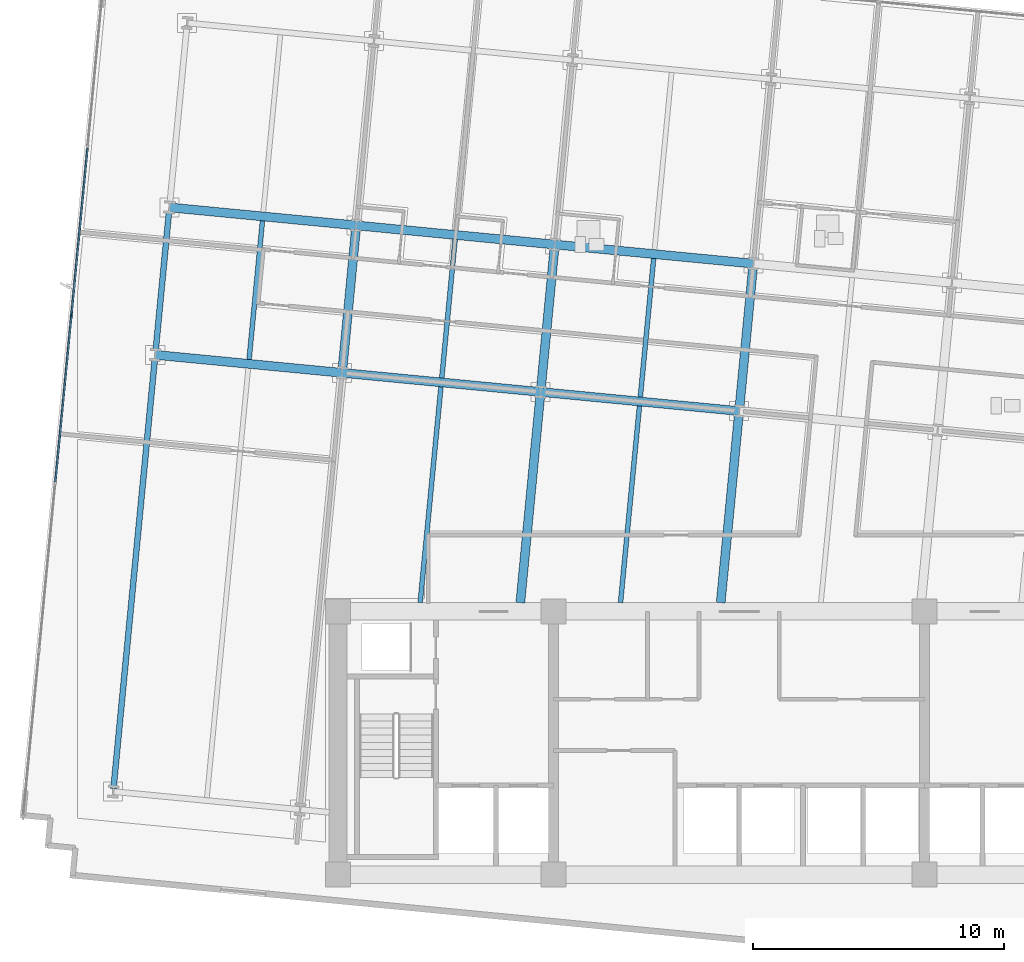
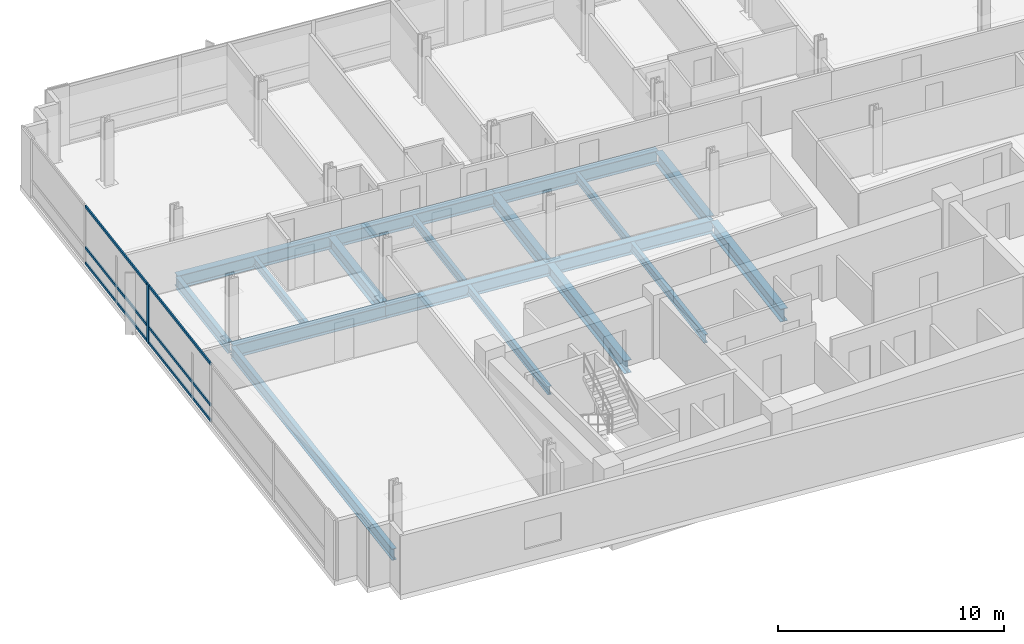
# One storey, part 4 of 17: 18 beams, 7 members, 1 element without a shape of its own.
"""IFC4 building model written with IfcOpenShell, lengths in metres."""

from ifc_helpers import new_model, si_unit, direction, frame, origin, origin_2d, place, context, subcontext, project, spatial, rectangle, i_section, extrude, material, material_profile, profile_set, type_object, element, aggregate, save


model = new_model("IFC4")

# Units and contexts
model_context = context("Model", 3, precision=1e-05, world=origin(), true_north=direction((0.0, 1.0)))
body_context = subcontext(model_context, "Body", "Model", "MODEL_VIEW")
ifc_project = project(units=[si_unit("LENGTHUNIT", "METRE"), si_unit("AREAUNIT", "SQUARE_METRE"), si_unit("VOLUMEUNIT", "CUBIC_METRE"), si_unit("PLANEANGLEUNIT", "RADIAN"), si_unit("MASSUNIT", "GRAM", prefix="KILO")], contexts=[model_context])

# Site, building, storey
site_placement = place(None, origin())
site = spatial("IfcSite", under=ifc_project, at=site_placement, CompositionType="ELEMENT")
building_placement = place(site_placement, origin())
building = spatial("IfcBuilding", under=site, at=building_placement, Name="Solmavex Isthmus Hotel", CompositionType="ELEMENT")
storey_placement = place(building_placement, frame((0.0, 0.0, 149.699951171875)))
storey = spatial("IfcBuildingStorey", under=building, at=storey_placement, Name="L40", CompositionType="ELEMENT", Elevation=149.699951171875)

# Beams
ifc_material_1 = material(Name="Steel ASTM A992 Grade 50", Category="steel")
ifc_material_profile_1 = material_profile(ifc_material_1, i_section(OverallWidth=0.354736328125, OverallDepth=0.695556640625, WebThickness=0.015380859375, FlangeThickness=0.02490234375, FilletRadius=0.017822265625, at=origin_2d()), Name="W27X146")
ifc_profile_set_1 = profile_set([ifc_material_profile_1], Name="Steel ASTM A992 Grade 50")
beam_type_1 = type_object("IfcBeamType", Name="BM-BG-W27X146", PredefinedType="BEAM", material=ifc_profile_set_1)
beam_1_placement = place(storey_placement, frame((-23.291015625, 7.733154296875, -0.607666015625), z_axis=(0.995395279593, -0.095855293875, 0.0), x_axis=(0.095855293875, 0.995395279593, 0.0)))
element("IfcBeam", 1, at=beam_1_placement, inside=storey, type_object=beam_type_1, Name="Floor Girder L40-UG03", PredefinedType="BEAM", context=body_context, shape_type="SweptSolid", body=[
    extrude(i_section(OverallWidth=0.354736328125, OverallDepth=0.695556640625, WebThickness=0.015380859375, FlangeThickness=0.02490234375, FilletRadius=0.017822265625, at=origin_2d()), origin(), (0.0, 0.0, 1.0), 7.488037109375),
])
beam_2_placement = place(storey_placement, frame((-15.83740234375, 7.015380859375, -0.607666015625), z_axis=(0.995397158178, -0.095835783981, 0.0), x_axis=(0.095835783981, 0.995397158178, 0.0)))
element("IfcBeam", 2, at=beam_2_placement, inside=storey, type_object=beam_type_1, Name="Floor Girder L40-UG04", PredefinedType="BEAM", context=body_context, shape_type="SweptSolid", body=[
    extrude(i_section(OverallWidth=0.354736328125, OverallDepth=0.695556640625, WebThickness=0.015380859375, FlangeThickness=0.02490234375, FilletRadius=0.017822265625, at=origin_2d()), origin(), (0.0, 0.0, 1.0), 7.955810546875),
])
beam_3_placement = place(storey_placement, frame((-7.918212890625, 6.2529296875, -0.607666015625), z_axis=(0.995394512348, -0.095863260885, 0.0), x_axis=(0.095863260885, 0.995394512348, 0.0)))
element("IfcBeam", 3, at=beam_3_placement, inside=storey, type_object=beam_type_1, Name="Floor Girder L40-UG05", PredefinedType="BEAM", context=body_context, shape_type="SweptSolid", body=[
    extrude(i_section(OverallWidth=0.354736328125, OverallDepth=0.695556640625, WebThickness=0.015380859375, FlangeThickness=0.02490234375, FilletRadius=0.017822265625, at=origin_2d()), origin(), (0.0, 0.0, 1.0), 7.9560546875),
])
beam_4_placement = place(storey_placement, frame((-22.724853515625, 13.614013671875, -0.607666015625), z_axis=(0.995395279593, -0.095855293875, 0.0), x_axis=(0.095855293875, 0.995395279593, 0.0)))
element("IfcBeam", 4, at=beam_4_placement, inside=storey, type_object=beam_type_1, Name="Floor Girder L40-UG09", PredefinedType="BEAM", context=body_context, shape_type="SweptSolid", body=[
    extrude(i_section(OverallWidth=0.354736328125, OverallDepth=0.695556640625, WebThickness=0.015380859375, FlangeThickness=0.02490234375, FilletRadius=0.017822265625, at=origin_2d()), origin(), (0.0, 0.0, 1.0), 7.488037109375),
])
for number, where, z_axis, x_axis, name in (
    (5, (-15.271240234375, 12.896240234375, -0.607666015625), (0.995397440011, -0.095832856685, 0.0), (0.095832856685, 0.995397440011, 0.0), "Floor Girder L40-UG10"),
    (6, (-7.351806640625, 12.1337890625, -0.607666015625), (0.995394512348, -0.095863260885, 0.0), (0.095863260885, 0.995394512348, 0.0), "Floor Girder L40-UG11"),
):
    element("IfcBeam", number, at=place(storey_placement, frame(where, z_axis=z_axis, x_axis=x_axis)), inside=storey, type_object=beam_type_1, Name=name, PredefinedType="BEAM", context=body_context, shape_type="SweptSolid", body=[
        extrude(i_section(OverallWidth=0.354736328125, OverallDepth=0.695556640625, WebThickness=0.015380859375, FlangeThickness=0.02490234375, FilletRadius=0.017822265625, at=origin_2d()), origin(), (0.0, 0.0, 1.0), 7.9560546875),
    ])
beam_5_placement = place(storey_placement, frame((-15.820556640625, 7.19189453125, -0.607666015625), z_axis=(0.095838058801, 0.995396939158, 0.0), x_axis=(-0.995396939158, 0.095838058801, 0.0)))
element("IfcBeam", 7, at=beam_5_placement, inside=storey, type_object=beam_type_1, Name="Floor Beam L40-VG25", PredefinedType="BEAM", context=body_context, shape_type="SweptSolid", body=[
    extrude(i_section(OverallWidth=0.354736328125, OverallDepth=0.695556640625, WebThickness=0.015380859375, FlangeThickness=0.02490234375, FilletRadius=0.017822265625, at=origin_2d()), origin(), (0.0, 0.0, 1.0), 5.553466796875),
])
beam_6_placement = place(storey_placement, frame((-8.727294921875, -2.14990234375, -0.607666015625), z_axis=(0.095861573524, 0.995394674851, 0.0), x_axis=(-0.995394674851, 0.095861573524, 0.0)))
element("IfcBeam", 8, at=beam_6_placement, inside=storey, type_object=beam_type_1, Name="Floor Beam L40-VG27", PredefinedType="BEAM", context=body_context, shape_type="SweptSolid", body=[
    extrude(i_section(OverallWidth=0.354736328125, OverallDepth=0.695556640625, WebThickness=0.015380859375, FlangeThickness=0.02490234375, FilletRadius=0.017822265625, at=origin_2d()), origin(), (0.0, 0.0, 1.0), 8.264404296875),
])
beam_7_placement = place(storey_placement, frame((-7.901123046875, 6.429443359375, -0.607666015625), z_axis=(0.095842252862, 0.99539653534, 0.0), x_axis=(-0.99539653534, 0.095842252862, 0.0)))
element("IfcBeam", 9, at=beam_7_placement, inside=storey, type_object=beam_type_1, Name="Floor Beam L40-VG28", PredefinedType="BEAM", context=body_context, shape_type="SweptSolid", body=[
    extrude(i_section(OverallWidth=0.354736328125, OverallDepth=0.695556640625, WebThickness=0.015380859375, FlangeThickness=0.02490234375, FilletRadius=0.017822265625, at=origin_2d()), origin(), (0.0, 0.0, 1.0), 5.55322265625),
])
beam_8_placement = place(storey_placement, frame((-0.734375, -2.14990234375, -0.607666015625), z_axis=(0.095856963455, 0.995395118813, 0.0), x_axis=(-0.995395118813, 0.095856963455, 0.0)))
element("IfcBeam", 10, at=beam_8_placement, inside=storey, type_object=beam_type_1, Name="Floor Beam L40-VG30", PredefinedType="BEAM", context=body_context, shape_type="SweptSolid", body=[
    extrude(i_section(OverallWidth=0.354736328125, OverallDepth=0.695556640625, WebThickness=0.015380859375, FlangeThickness=0.02490234375, FilletRadius=0.017822265625, at=origin_2d()), origin(), (0.0, 0.0, 1.0), 7.498046875),
])
beam_9_placement = place(storey_placement, frame((0.018310546875, 5.6669921875, -0.607666015625), z_axis=(0.095842252862, 0.99539653534, 0.0), x_axis=(-0.99539653534, 0.095842252862, 0.0)))
element("IfcBeam", 11, at=beam_9_placement, inside=storey, type_object=beam_type_1, Name="Floor Beam L40-VG31", PredefinedType="BEAM", context=body_context, shape_type="SweptSolid", body=[
    extrude(i_section(OverallWidth=0.354736328125, OverallDepth=0.695556640625, WebThickness=0.015380859375, FlangeThickness=0.02490234375, FilletRadius=0.017822265625, at=origin_2d()), origin(), (0.0, 0.0, 1.0), 5.55322265625),
])
ifc_material_profile_2 = material_profile(ifc_material_1, i_section(OverallWidth=0.1904296875, OverallDepth=0.456787109375, WebThickness=0.009033203125, FlangeThickness=0.014404296875, FilletRadius=0.0126953125, at=origin_2d()), Name="W18X50")
ifc_profile_set_2 = profile_set([ifc_material_profile_2], Name="Steel ASTM A992 Grade 50")
beam_type_2 = type_object("IfcBeamType", Name="BM-BJ-W18X50", PredefinedType="JOIST", material=ifc_profile_set_2)
beam_10_placement = place(storey_placement, frame((-19.547119140625, 7.55078125, -0.48828125), z_axis=(0.095842252862, 0.99539653534, 0.0), x_axis=(-0.99539653534, 0.095842252862, 0.0)))
element("IfcBeam", 12, at=beam_10_placement, inside=storey, type_object=beam_type_2, Name="Secondary Floor Joist L40-J02", PredefinedType="JOIST", context=body_context, shape_type="SweptSolid", body=[
    extrude(i_section(OverallWidth=0.1904296875, OverallDepth=0.456787109375, WebThickness=0.009033203125, FlangeThickness=0.014404296875, FilletRadius=0.0126953125, at=origin_2d()), origin(), (0.0, 0.0, 1.0), 5.55322265625),
])
beam_11_placement = place(storey_placement, frame((-12.7236328125, -2.14990234375, -0.48828125), z_axis=(0.095852279322, 0.995395569886, 0.0), x_axis=(-0.995395569886, 0.095852279322, 0.0)))
element("IfcBeam", 13, at=beam_11_placement, inside=storey, type_object=beam_type_2, Name="Secondary Floor Joist L40-J04", PredefinedType="JOIST", context=body_context, shape_type="SweptSolid", body=[
    extrude(i_section(OverallWidth=0.1904296875, OverallDepth=0.456787109375, WebThickness=0.009033203125, FlangeThickness=0.014404296875, FilletRadius=0.0126953125, at=origin_2d()), origin(), (0.0, 0.0, 1.0), 8.647216796875),
])
beam_12_placement = place(storey_placement, frame((-11.86083984375, 6.810791015625, -0.48828125), z_axis=(0.095842252862, 0.99539653534, 0.0), x_axis=(-0.99539653534, 0.095842252862, 0.0)))
element("IfcBeam", 14, at=beam_12_placement, inside=storey, type_object=beam_type_2, Name="Secondary Floor Joist L40-J05", PredefinedType="JOIST", context=body_context, shape_type="SweptSolid", body=[
    extrude(i_section(OverallWidth=0.1904296875, OverallDepth=0.456787109375, WebThickness=0.009033203125, FlangeThickness=0.014404296875, FilletRadius=0.0126953125, at=origin_2d()), origin(), (0.0, 0.0, 1.0), 5.55322265625),
])
beam_13_placement = place(storey_placement, frame((-4.730712890625, -2.14990234375, -0.48828125), z_axis=(0.09584403416, 0.995396363825, 0.0), x_axis=(-0.995396363825, 0.09584403416, 0.0)))
element("IfcBeam", 15, at=beam_13_placement, inside=storey, type_object=beam_type_2, Name="Secondary Floor Joist L40-J07", PredefinedType="JOIST", context=body_context, shape_type="SweptSolid", body=[
    extrude(i_section(OverallWidth=0.1904296875, OverallDepth=0.456787109375, WebThickness=0.009033203125, FlangeThickness=0.014404296875, FilletRadius=0.0126953125, at=origin_2d()), origin(), (0.0, 0.0, 1.0), 7.88134765625),
])
beam_14_placement = place(storey_placement, frame((-3.94140625, 6.048095703125, -0.48828125), z_axis=(0.095838058801, 0.995396939158, 0.0), x_axis=(-0.995396939158, 0.095838058801, 0.0)))
element("IfcBeam", 16, at=beam_14_placement, inside=storey, type_object=beam_type_2, Name="Secondary Floor Joist L40-J08", PredefinedType="JOIST", context=body_context, shape_type="SweptSolid", body=[
    extrude(i_section(OverallWidth=0.1904296875, OverallDepth=0.456787109375, WebThickness=0.009033203125, FlangeThickness=0.014404296875, FilletRadius=0.0126953125, at=origin_2d()), origin(), (0.0, 0.0, 1.0), 5.553466796875),
])
ifc_material_profile_3 = material_profile(ifc_material_1, i_section(OverallWidth=0.230224609375, OverallDepth=0.617431640625, WebThickness=0.01318359375, FlangeThickness=0.022216796875, FilletRadius=0.01513671875, at=origin_2d()), Name="W24X94")
ifc_profile_set_3 = profile_set([ifc_material_profile_3], Name="Steel ASTM A992 Grade 50")
beam_type_3 = type_object("IfcBeamType", Name="BM-SP-W24X94", PredefinedType="SPANDREL", material=ifc_profile_set_3)
beam_15_placement = place(storey_placement, frame((-24.957275390625, -9.571533203125, -0.568603515625), z_axis=(0.095840821687, 0.99539667314, 0.0), x_axis=(-0.99539667314, 0.095840821687, 0.0)))
element("IfcBeam", 17, at=beam_15_placement, inside=storey, type_object=beam_type_3, Name="Floor Beam L40-VG21", PredefinedType="SPANDREL", context=body_context, shape_type="SweptSolid", body=[
    extrude(i_section(OverallWidth=0.230224609375, OverallDepth=0.617431640625, WebThickness=0.01318359375, FlangeThickness=0.022216796875, FilletRadius=0.01513671875, at=origin_2d()), origin(), (0.0, 0.0, 1.0), 17.207275390625),
])
beam_16_placement = place(storey_placement, frame((-23.27392578125, 7.90966796875, -0.568603515625), z_axis=(0.095842252862, 0.99539653534, 0.0), x_axis=(-0.99539653534, 0.095842252862, 0.0)))
element("IfcBeam", 18, at=beam_16_placement, inside=storey, type_object=beam_type_3, Name="Floor Beam L40-VG22", PredefinedType="SPANDREL", context=body_context, shape_type="SweptSolid", body=[
    extrude(i_section(OverallWidth=0.230224609375, OverallDepth=0.617431640625, WebThickness=0.01318359375, FlangeThickness=0.022216796875, FilletRadius=0.01513671875, at=origin_2d()), origin(), (0.0, 0.0, 1.0), 5.55322265625),
])

# Curtain wall, members
ifc_material_2 = material(Name="Aluminium alloy 6063-T6", Category="aluminium")
curtain_wall_type = type_object("IfcCurtainWallType", Name="CW-SYS-03", PredefinedType="NOTDEFINED", material=ifc_material_2)
curtain_wall_placement = place(storey_placement, origin())
curtain_wall = element("IfcCurtainWall", 19, at=curtain_wall_placement, inside=storey, type_object=curtain_wall_type, Name="Stick Curtain Wall CWL-L40-W1", PredefinedType="NOTDEFINED")
ifc_material_profile_4 = material_profile(ifc_material_2, rectangle(XDim=0.070068359375, YDim=0.179931640625, at=origin_2d()), Name="CWM-70X180")
ifc_profile_set_4 = profile_set([ifc_material_profile_4], Name="Aluminium alloy 6063-T6")
member_type_1 = type_object("IfcMemberType", Name="CW-SYS-03-MUL", PredefinedType="MULLION", material=ifc_profile_set_4)
member_1_placement = place(storey_placement, frame((-26.63427734375, 9.32080078125, 0.0), z_axis=(0.0, 0.0, 1.0), x_axis=(-0.995396190038, 0.09584583902, 0.0)))
member_1 = element("IfcMember", 20, at=member_1_placement, type_object=member_type_1, Name="CW-03 mullion 4", PredefinedType="MULLION", context=body_context, shape_type="SweptSolid", body=[
    extrude(rectangle(XDim=0.070068359375, YDim=0.179931640625, at=origin_2d()), origin(), (0.0, 0.0, 1.0), 3.18994140625),
])
ifc_material_profile_5 = material_profile(ifc_material_2, rectangle(XDim=0.070068359375, YDim=0.139892578125, at=origin_2d()), Name="CWT-70X140")
ifc_profile_set_5 = profile_set([ifc_material_profile_5], Name="Aluminium alloy 6063-T6")
member_type_2 = type_object("IfcMemberType", Name="CW-SYS-03-TRN", PredefinedType="USERDEFINED", material=ifc_profile_set_5)
member_2_placement = place(storey_placement, frame((-27.27490234375, 2.666748046875, 0.070068359375), z_axis=(0.095857212138, 0.995395094865, 0.0), x_axis=(-0.995395094865, 0.095857212138, 0.0)))
member_2 = element("IfcMember", 21, at=member_2_placement, type_object=member_type_2, Name="CW-03 transom 3.1", ObjectType="TRANSOM", PredefinedType="USERDEFINED", context=body_context, shape_type="SweptSolid", body=[
    extrude(rectangle(XDim=0.070068359375, YDim=0.139892578125, at=origin_2d()), origin(), (0.0, 0.0, 1.0), 6.64990234375),
])
member_3_placement = place(storey_placement, frame((-27.27490234375, 2.666748046875, 0.900146484375), z_axis=(0.095857212138, 0.995395094865, 0.0), x_axis=(-0.995395094865, 0.095857212138, 0.0)))
member_3 = element("IfcMember", 22, at=member_3_placement, type_object=member_type_2, Name="CW-03 transom 3.2", ObjectType="TRANSOM", PredefinedType="USERDEFINED", context=body_context, shape_type="SweptSolid", body=[
    extrude(rectangle(XDim=0.070068359375, YDim=0.139892578125, at=origin_2d()), origin(), (0.0, 0.0, 1.0), 6.64990234375),
])
member_4_placement = place(storey_placement, frame((-27.27490234375, 2.666748046875, 3.1201171875), z_axis=(0.095857212138, 0.995395094865, 0.0), x_axis=(-0.995395094865, 0.095857212138, 0.0)))
member_4 = element("IfcMember", 23, at=member_4_placement, type_object=member_type_2, Name="CW-03 transom 3.3", ObjectType="TRANSOM", PredefinedType="USERDEFINED", context=body_context, shape_type="SweptSolid", body=[
    extrude(rectangle(XDim=0.070068359375, YDim=0.139892578125, at=origin_2d()), origin(), (0.0, 0.0, 1.0), 6.64990234375),
])
member_5_placement = place(storey_placement, frame((-26.630859375, 9.355712890625, 0.070068359375), z_axis=(0.095857212138, 0.995395094865, 0.0), x_axis=(-0.995395094865, 0.095857212138, 0.0)))
member_5 = element("IfcMember", 24, at=member_5_placement, type_object=member_type_2, Name="CW-03 transom 4.1", ObjectType="TRANSOM", PredefinedType="USERDEFINED", context=body_context, shape_type="SweptSolid", body=[
    extrude(rectangle(XDim=0.070068359375, YDim=0.139892578125, at=origin_2d()), origin(), (0.0, 0.0, 1.0), 6.64990234375),
])
member_6_placement = place(storey_placement, frame((-26.630859375, 9.355712890625, 0.900146484375), z_axis=(0.095857212138, 0.995395094865, 0.0), x_axis=(-0.995395094865, 0.095857212138, 0.0)))
member_6 = element("IfcMember", 25, at=member_6_placement, type_object=member_type_2, Name="CW-03 transom 4.2", ObjectType="TRANSOM", PredefinedType="USERDEFINED", context=body_context, shape_type="SweptSolid", body=[
    extrude(rectangle(XDim=0.070068359375, YDim=0.139892578125, at=origin_2d()), origin(), (0.0, 0.0, 1.0), 6.64990234375),
])
member_7_placement = place(storey_placement, frame((-26.630859375, 9.355712890625, 3.1201171875), z_axis=(0.095857212138, 0.995395094865, 0.0), x_axis=(-0.995395094865, 0.095857212138, 0.0)))
member_7 = element("IfcMember", 26, at=member_7_placement, type_object=member_type_2, Name="CW-03 transom 4.3", ObjectType="TRANSOM", PredefinedType="USERDEFINED", context=body_context, shape_type="SweptSolid", body=[
    extrude(rectangle(XDim=0.070068359375, YDim=0.139892578125, at=origin_2d()), origin(), (0.0, 0.0, 1.0), 6.64990234375),
])
aggregate(curtain_wall, [member_1, member_2, member_3, member_4, member_5, member_6, member_7])

save(model, "model.ifc")
